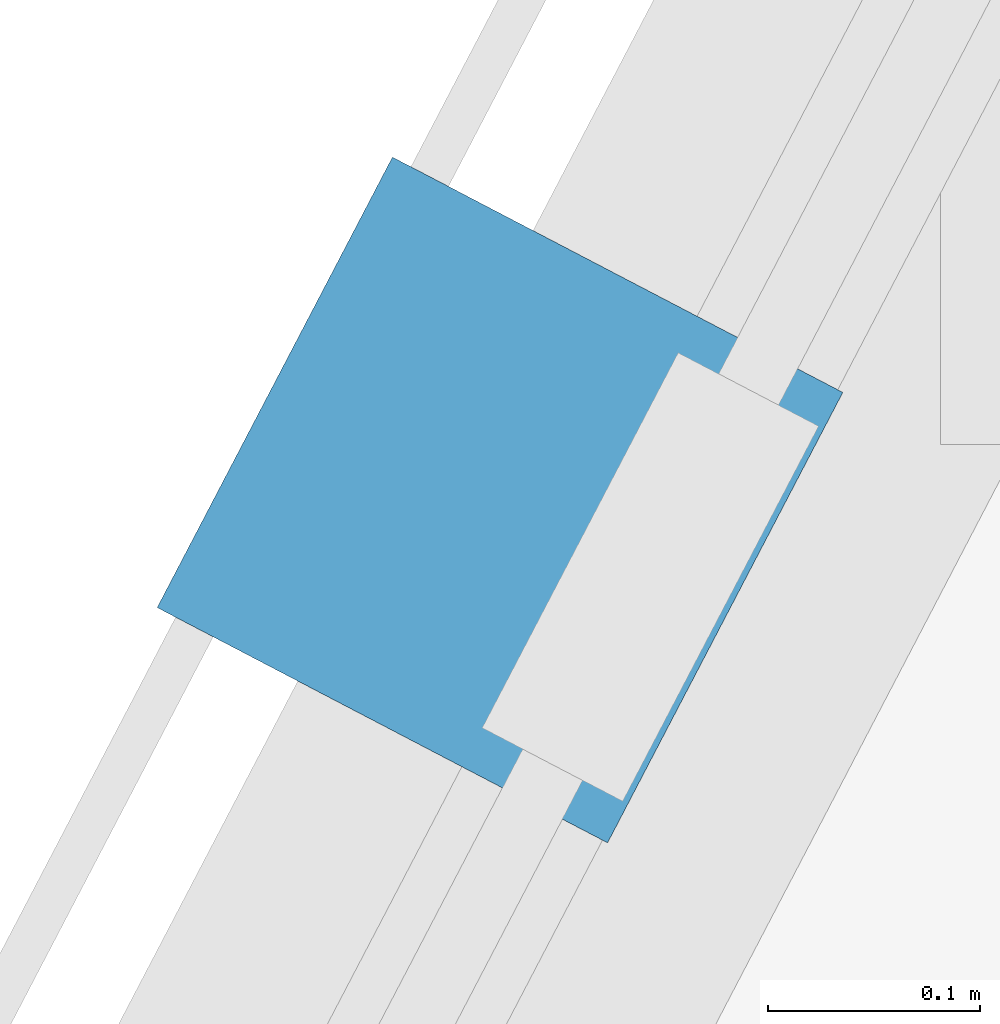
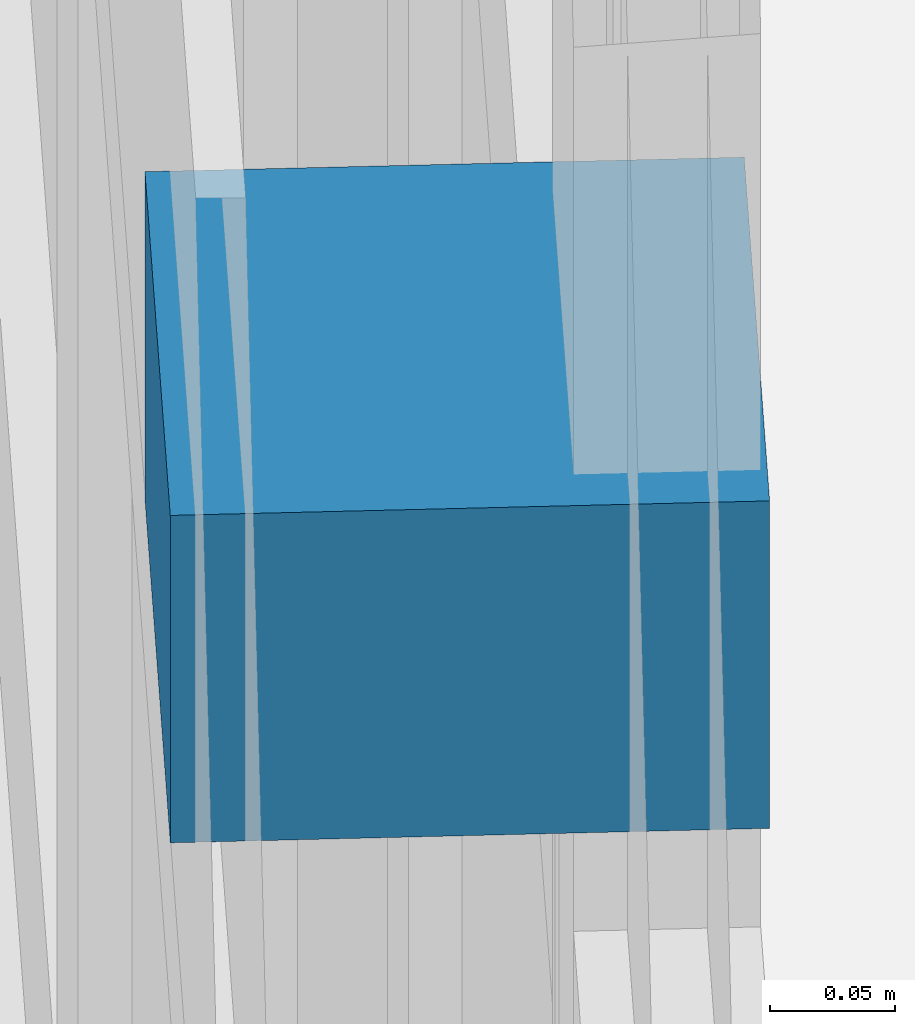
# One storey, part 106 of 113: 1 discrete accessory.
"""IFC4 building model written with IfcOpenShell, lengths in metres."""

from ifc_helpers import new_model, si_unit, direction, frame, origin, origin_2d, place, context, subcontext, project, spatial, rectangle, extrude, material, type_object, element, save


model = new_model("IFC4")

# Units and contexts
model_context = context("Model", 3, precision=1e-05, world=origin(), true_north=direction((0.0, 1.0)))
body_context = subcontext(model_context, "Body", "Model", "MODEL_VIEW")
ifc_project = project(units=[si_unit("LENGTHUNIT", "METRE"), si_unit("AREAUNIT", "SQUARE_METRE"), si_unit("VOLUMEUNIT", "CUBIC_METRE"), si_unit("PLANEANGLEUNIT", "RADIAN"), si_unit("MASSUNIT", "GRAM", prefix="KILO")], contexts=[model_context])

# Site, building, storey
site_placement = place(None, origin())
site = spatial("IfcSite", under=ifc_project, at=site_placement, CompositionType="ELEMENT")
building_placement = place(site_placement, origin())
building = spatial("IfcBuilding", under=site, at=building_placement, Name="Tameran Prism Museum", CompositionType="ELEMENT")
storey_placement = place(building_placement, origin())
storey = spatial("IfcBuildingStorey", under=building, at=storey_placement, Name="L00", CompositionType="ELEMENT", Elevation=0.0)

# Discrete accessory
ifc_material = material(Name="Galvanized Steel Grade 350 (350 MPa)", Category="steel")
discrete_accessory_type = type_object("IfcDiscreteAccessoryType", Name="DA-BRK-STL", PredefinedType="BRACKET", material=ifc_material)
discrete_accessory_placement = place(storey_placement, frame((98.06494140625, 88.9599609375, 3.68994140625), z_axis=(0.0, 0.0, 1.0), x_axis=(0.462986663495, 0.886365246062, 0.0)))
element("IfcDiscreteAccessory", 1, at=discrete_accessory_placement, inside=storey, type_object=discrete_accessory_type, Name="Facade Sunshade Bracket BK-001", PredefinedType="BRACKET", context=body_context, shape_type="SweptSolid", body=[
    extrude(rectangle(XDim=0.239990234375, YDim=0.239990234375, at=origin_2d()), origin(), (0.0, 0.0, 1.0), 0.159912109375),
])

save(model, "model.ifc")
